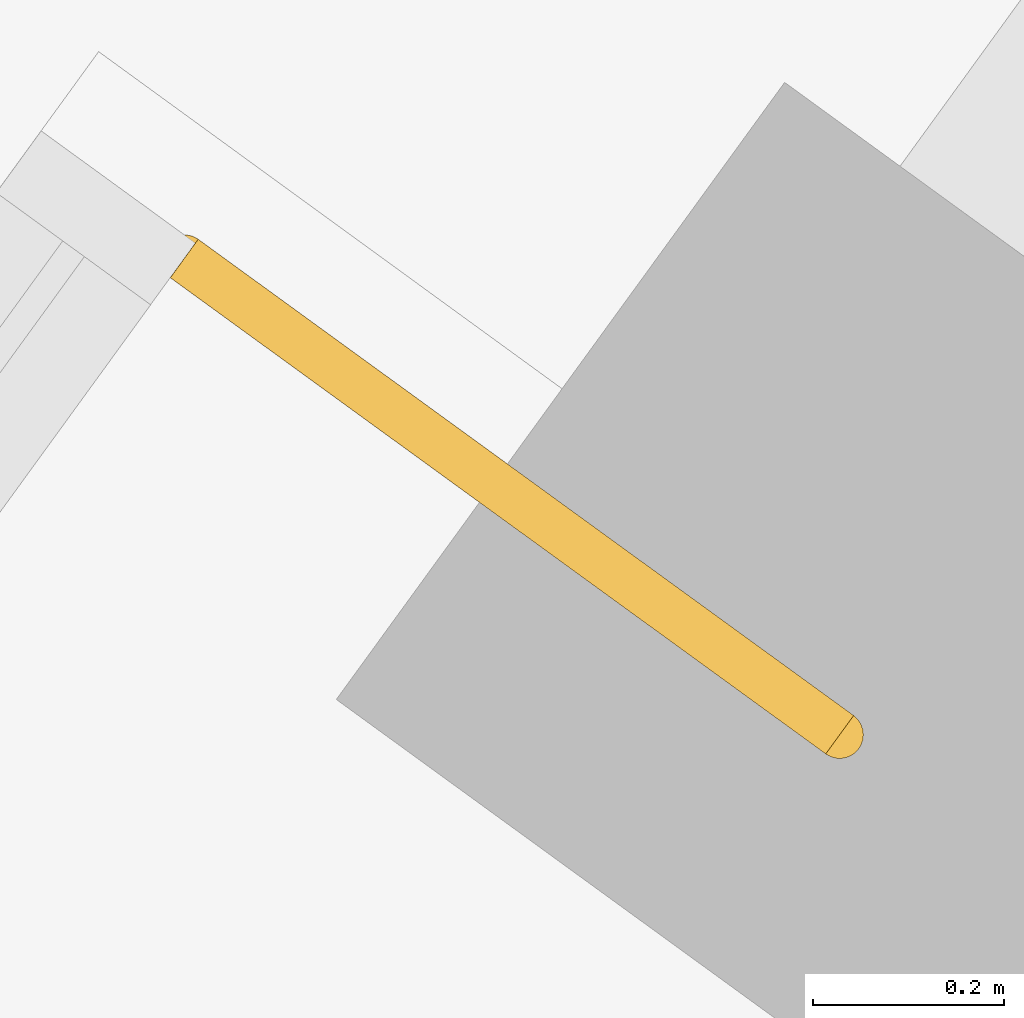
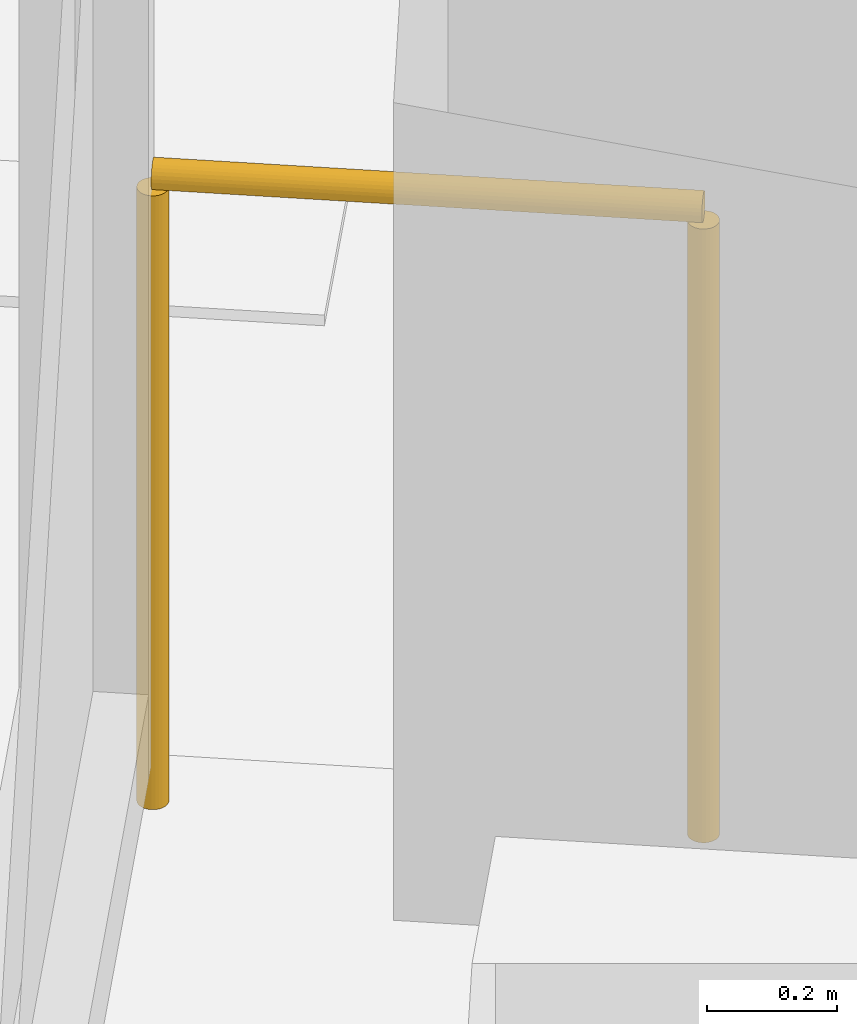
# One storey, part 10 of 10: 1 railing.
"""IFC4 building model written with IfcOpenShell, lengths in metres."""

from ifc_helpers import new_model, si_unit, direction, frame, origin, origin_2d, place, context, subcontext, project, spatial, circle, extrude, material, type_object, element, save


model = new_model("IFC4")

# Units and contexts
model_context = context("Model", 3, precision=1e-05, world=origin(), true_north=direction((0.0, 1.0)))
body_context = subcontext(model_context, "Body", "Model", "MODEL_VIEW")
ifc_project = project(units=[si_unit("LENGTHUNIT", "METRE"), si_unit("AREAUNIT", "SQUARE_METRE"), si_unit("VOLUMEUNIT", "CUBIC_METRE"), si_unit("PLANEANGLEUNIT", "RADIAN"), si_unit("MASSUNIT", "GRAM", prefix="KILO")], contexts=[model_context])

# Site, building, storey
site_placement = place(None, origin())
site = spatial("IfcSite", under=ifc_project, at=site_placement, CompositionType="ELEMENT")
building_placement = place(site_placement, origin())
building = spatial("IfcBuilding", under=site, at=building_placement, Name="Quipu Civic Tower", CompositionType="ELEMENT")
storey_placement = place(building_placement, frame((0.0, 0.0, 202.0)))
storey = spatial("IfcBuildingStorey", under=building, at=storey_placement, Name="L47", CompositionType="ELEMENT", Elevation=202.0)

# Railing
ifc_material = material(Name="Steel S275", Category="steel")
railing_type = type_object("IfcRailingType", Name="Terrace guard G1", PredefinedType="GUARDRAIL", material=ifc_material)
railing_placement = place(storey_placement, frame((36.037353515625, 8.718505859375, 0.0)))
element("IfcRailing", 1, at=railing_placement, inside=storey, type_object=railing_type, Name="Terrace guard L47.5", PredefinedType="GUARDRAIL", context=body_context, shape_type="SweptSolid", body=[
    extrude(circle(Radius=0.02490234375, at=origin_2d()), frame((0.0, 0.0, 1.1748046875), z_axis=(-0.809009310944, 0.587795827483, 0.0), x_axis=(-0.587795827483, -0.809009310944, 0.0)), (0.0, 0.0, 1.0), 0.849853515625),
    extrude(circle(Radius=0.02490234375, at=origin_2d()), origin(), (0.0, 0.0, 1.0), 1.14990234375),
    extrude(circle(Radius=0.02490234375, at=origin_2d()), frame((-0.6875, 0.49951171875, 0.0)), (0.0, 0.0, 1.0), 1.14990234375),
])

save(model, "model.ifc")
